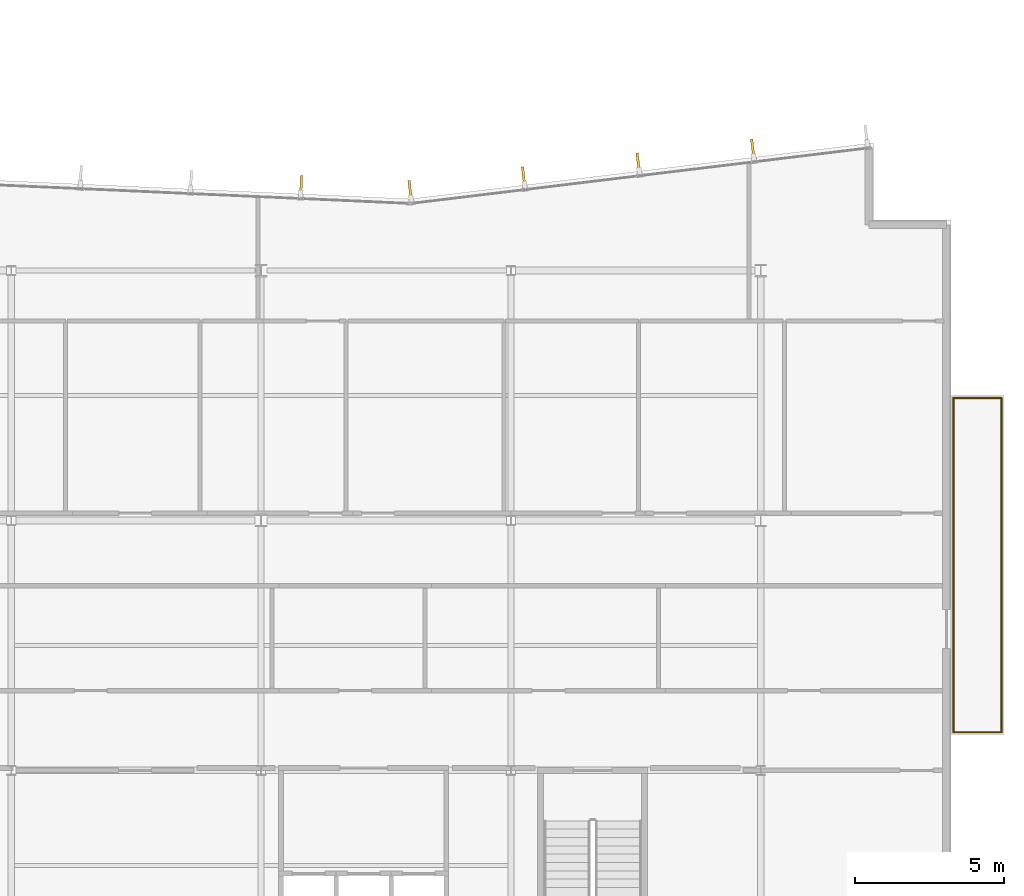
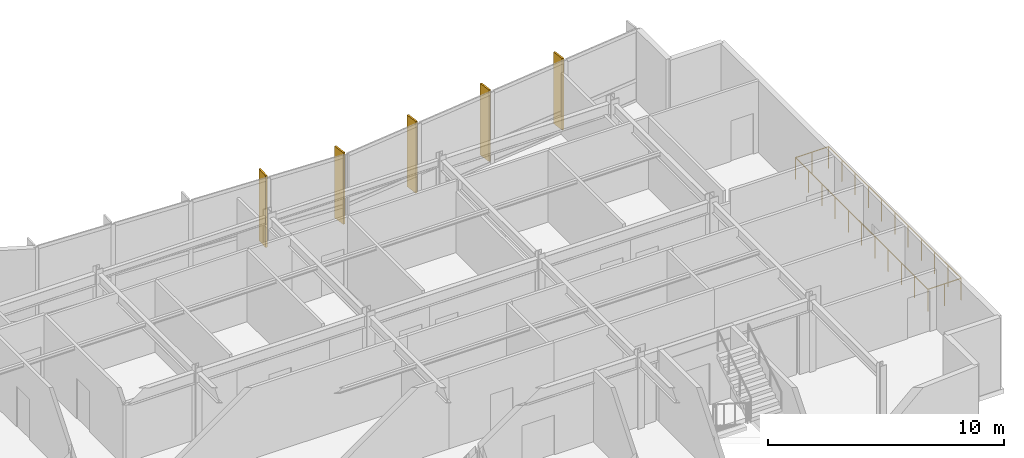
# One storey, part 15 of 17: 5 shading devices, 4 railings.
"""IFC4 building model written with IfcOpenShell, lengths in metres."""

from ifc_helpers import new_model, si_unit, direction, frame, origin, origin_2d, place, context, subcontext, project, spatial, rectangle, circle, extrude, material, layer, layer_set, type_object, element, save


model = new_model("IFC4")

# Units and contexts
model_context = context("Model", 3, precision=1e-05, world=origin(), true_north=direction((0.0, 1.0)))
body_context = subcontext(model_context, "Body", "Model", "MODEL_VIEW")
ifc_project = project(units=[si_unit("LENGTHUNIT", "METRE"), si_unit("AREAUNIT", "SQUARE_METRE"), si_unit("VOLUMEUNIT", "CUBIC_METRE"), si_unit("PLANEANGLEUNIT", "RADIAN"), si_unit("MASSUNIT", "GRAM", prefix="KILO")], contexts=[model_context])

# Site, building, storey
site_placement = place(None, origin())
site = spatial("IfcSite", under=ifc_project, at=site_placement, CompositionType="ELEMENT")
building_placement = place(site_placement, origin())
building = spatial("IfcBuilding", under=site, at=building_placement, Name="Varnakote Quay Hospital", CompositionType="ELEMENT")
storey_placement = place(building_placement, frame((0.0, 0.0, 134.949951171875)))
storey = spatial("IfcBuildingStorey", under=building, at=storey_placement, Name="L33", CompositionType="ELEMENT", Elevation=134.949951171875)

# Railings
ifc_material_1 = material(Name="Anodised aluminium 6063-T6 Bronze", Category="aluminium")
railing_type = type_object("IfcRailingType", Name="RLG-EXT-GUARD-1150", PredefinedType="GUARDRAIL", material=ifc_material_1)
railing_1_placement = place(storey_placement, frame((56.8759765625, 13.280029296875, 0.0)))
element("IfcRailing", 1, at=railing_1_placement, inside=storey, type_object=railing_type, Name="L33 Zigzag Prow Healing Terrace Safety Guard", PredefinedType="GUARDRAIL", context=body_context, shape_type="SweptSolid", body=[
    extrude(circle(Radius=0.02392578125, at=origin_2d()), frame((0.0, 0.0, 1.1259765625), z_axis=(0.0, 1.0, 0.0), x_axis=(-1.0, 0.0, 0.0)), (0.0, 0.0, 1.0), 11.239990234375),
    extrude(circle(Radius=0.02099609375, at=origin_2d()), origin(), (0.0, 0.0, 1.0), 1.101806640625),
    extrude(circle(Radius=0.02099609375, at=origin_2d()), frame((0.0, 1.1240234375, 0.0)), (0.0, 0.0, 1.0), 1.101806640625),
    extrude(circle(Radius=0.02099609375, at=origin_2d()), frame((0.0, 2.248046875, 0.0)), (0.0, 0.0, 1.0), 1.101806640625),
    extrude(circle(Radius=0.02099609375, at=origin_2d()), frame((0.0, 3.3720703125, 0.0)), (0.0, 0.0, 1.0), 1.101806640625),
    extrude(circle(Radius=0.02099609375, at=origin_2d()), frame((0.0, 4.49609375, 0.0)), (0.0, 0.0, 1.0), 1.101806640625),
    extrude(circle(Radius=0.02099609375, at=origin_2d()), frame((0.0, 5.6201171875, 0.0)), (0.0, 0.0, 1.0), 1.101806640625),
    extrude(circle(Radius=0.02099609375, at=origin_2d()), frame((0.0, 6.743896484375, 0.0)), (0.0, 0.0, 1.0), 1.101806640625),
    extrude(circle(Radius=0.02099609375, at=origin_2d()), frame((0.0, 7.867919921875, 0.0)), (0.0, 0.0, 1.0), 1.101806640625),
    extrude(circle(Radius=0.02099609375, at=origin_2d()), frame((0.0, 8.991943359375, 0.0)), (0.0, 0.0, 1.0), 1.101806640625),
    extrude(circle(Radius=0.02099609375, at=origin_2d()), frame((0.0, 10.115966796875, 0.0)), (0.0, 0.0, 1.0), 1.101806640625),
    extrude(circle(Radius=0.02099609375, at=origin_2d()), frame((0.0, 11.239990234375, 0.0)), (0.0, 0.0, 1.0), 1.101806640625),
])
railing_2_placement = place(storey_placement, frame((56.8759765625, 24.52001953125, 0.0)))
element("IfcRailing", 2, at=railing_2_placement, inside=storey, type_object=railing_type, Name="L33 Zigzag Prow Healing Terrace Safety Guard", PredefinedType="GUARDRAIL", context=body_context, shape_type="SweptSolid", body=[
    extrude(circle(Radius=0.02392578125, at=origin_2d()), frame((0.0, 0.0, 1.1259765625), z_axis=(1.0, 0.0, 0.0), x_axis=(0.0, 1.0, 0.0)), (0.0, 0.0, 1.0), 1.6240234375),
    extrude(circle(Radius=0.02099609375, at=origin_2d()), origin(), (0.0, 0.0, 1.0), 1.101806640625),
    extrude(circle(Radius=0.02099609375, at=origin_2d()), frame((0.81201171875, 0.0, 0.0)), (0.0, 0.0, 1.0), 1.101806640625),
    extrude(circle(Radius=0.02099609375, at=origin_2d()), frame((1.6240234375, 0.0, 0.0)), (0.0, 0.0, 1.0), 1.101806640625),
])
railing_3_placement = place(storey_placement, frame((58.5, 24.52001953125, 0.0)))
element("IfcRailing", 3, at=railing_3_placement, inside=storey, type_object=railing_type, Name="L33 Zigzag Prow Healing Terrace Safety Guard", PredefinedType="GUARDRAIL", context=body_context, shape_type="SweptSolid", body=[
    extrude(circle(Radius=0.02392578125, at=origin_2d()), frame((0.0, 0.0, 1.1259765625), z_axis=(0.0, -1.0, 0.0), x_axis=(1.0, 0.0, 0.0)), (0.0, 0.0, 1.0), 11.239990234375),
    extrude(circle(Radius=0.02099609375, at=origin_2d()), origin(), (0.0, 0.0, 1.0), 1.101806640625),
    extrude(circle(Radius=0.02099609375, at=origin_2d()), frame((0.0, -1.1240234375, 0.0)), (0.0, 0.0, 1.0), 1.101806640625),
    extrude(circle(Radius=0.02099609375, at=origin_2d()), frame((0.0, -2.248046875, 0.0)), (0.0, 0.0, 1.0), 1.101806640625),
    extrude(circle(Radius=0.02099609375, at=origin_2d()), frame((0.0, -3.3720703125, 0.0)), (0.0, 0.0, 1.0), 1.101806640625),
    extrude(circle(Radius=0.02099609375, at=origin_2d()), frame((0.0, -4.49609375, 0.0)), (0.0, 0.0, 1.0), 1.101806640625),
    extrude(circle(Radius=0.02099609375, at=origin_2d()), frame((0.0, -5.6201171875, 0.0)), (0.0, 0.0, 1.0), 1.101806640625),
    extrude(circle(Radius=0.02099609375, at=origin_2d()), frame((0.0, -6.743896484375, 0.0)), (0.0, 0.0, 1.0), 1.101806640625),
    extrude(circle(Radius=0.02099609375, at=origin_2d()), frame((0.0, -7.867919921875, 0.0)), (0.0, 0.0, 1.0), 1.101806640625),
    extrude(circle(Radius=0.02099609375, at=origin_2d()), frame((0.0, -8.991943359375, 0.0)), (0.0, 0.0, 1.0), 1.101806640625),
    extrude(circle(Radius=0.02099609375, at=origin_2d()), frame((0.0, -10.115966796875, 0.0)), (0.0, 0.0, 1.0), 1.101806640625),
    extrude(circle(Radius=0.02099609375, at=origin_2d()), frame((0.0, -11.239990234375, 0.0)), (0.0, 0.0, 1.0), 1.101806640625),
])
railing_4_placement = place(storey_placement, frame((58.5, 13.280029296875, 0.0)))
element("IfcRailing", 4, at=railing_4_placement, inside=storey, type_object=railing_type, Name="L33 Zigzag Prow Healing Terrace Safety Guard", PredefinedType="GUARDRAIL", context=body_context, shape_type="SweptSolid", body=[
    extrude(circle(Radius=0.02392578125, at=origin_2d()), frame((0.0, 0.0, 1.1259765625), z_axis=(-1.0, 0.0, 0.0), x_axis=(0.0, -1.0, 0.0)), (0.0, 0.0, 1.0), 1.6240234375),
    extrude(circle(Radius=0.02099609375, at=origin_2d()), origin(), (0.0, 0.0, 1.0), 1.101806640625),
    extrude(circle(Radius=0.02099609375, at=origin_2d()), frame((-0.81201171875, 0.0, 0.0)), (0.0, 0.0, 1.0), 1.101806640625),
    extrude(circle(Radius=0.02099609375, at=origin_2d()), frame((-1.6240234375, 0.0, 0.0)), (0.0, 0.0, 1.0), 1.101806640625),
])

# Shading devices
ifc_material_2 = material(Name="Anodised aluminium 6063-T6 Bronze", Category="aluminium")
ifc_layer = layer(ifc_material_2, 0.0849609375)
ifc_layer_set = layer_set([ifc_layer], Name="Anodised aluminium 6063-T6 Bronze")
shading_device_type = type_object("IfcShadingDeviceType", Name="SHD-BRONZE-FIN-620", PredefinedType="USERDEFINED", material=ifc_layer_set)
for number, where, z_axis, x_axis, name in (
    (5, (50.131103515625, 32.9189453125, 0.0), (0.0, 0.0, 1.0), (0.120310105847, -0.992736358975, 0.0), "L33 Anodised Bronze Vertical Shading FIN"),
    (6, (46.278564453125, 32.4521484375, 0.0), (0.0, 0.0, 1.0), (0.120310105847, -0.992736358975, 0.0), "L33 Anodised Bronze Vertical Shading FIN"),
    (7, (42.426025390625, 31.985107421875, 0.0), (0.0, 0.0, 1.0), (0.120310105847, -0.992736358975, 0.0), "L33 Anodised Bronze Vertical Shading FIN"),
    (8, (38.61083984375, 31.522705078125, 0.0), (0.0, 0.0, 1.0), (0.120310105847, -0.992736358975, 0.0), "L33 Anodised Bronze Vertical Shading FIN"),
    (9, (34.947998046875, 31.68701171875, 0.0), (0.0, 0.0, 1.0), (-0.044839922168, -0.998994184858, 0.0), "L33 Anodised Bronze Vertical Shading FIN"),
):
    element("IfcShadingDevice", number, at=place(storey_placement, frame(where, z_axis=z_axis, x_axis=x_axis)), inside=storey, type_object=shading_device_type, Name=name, ObjectType="FIN", PredefinedType="USERDEFINED", context=body_context, shape_type="SweptSolid", body=[
        extrude(rectangle(XDim=0.6201171875, YDim=0.0849609375, at=origin_2d()), origin(), (0.0, 0.0, 1.0), 3.7099609375),
    ])

save(model, "model.ifc")
